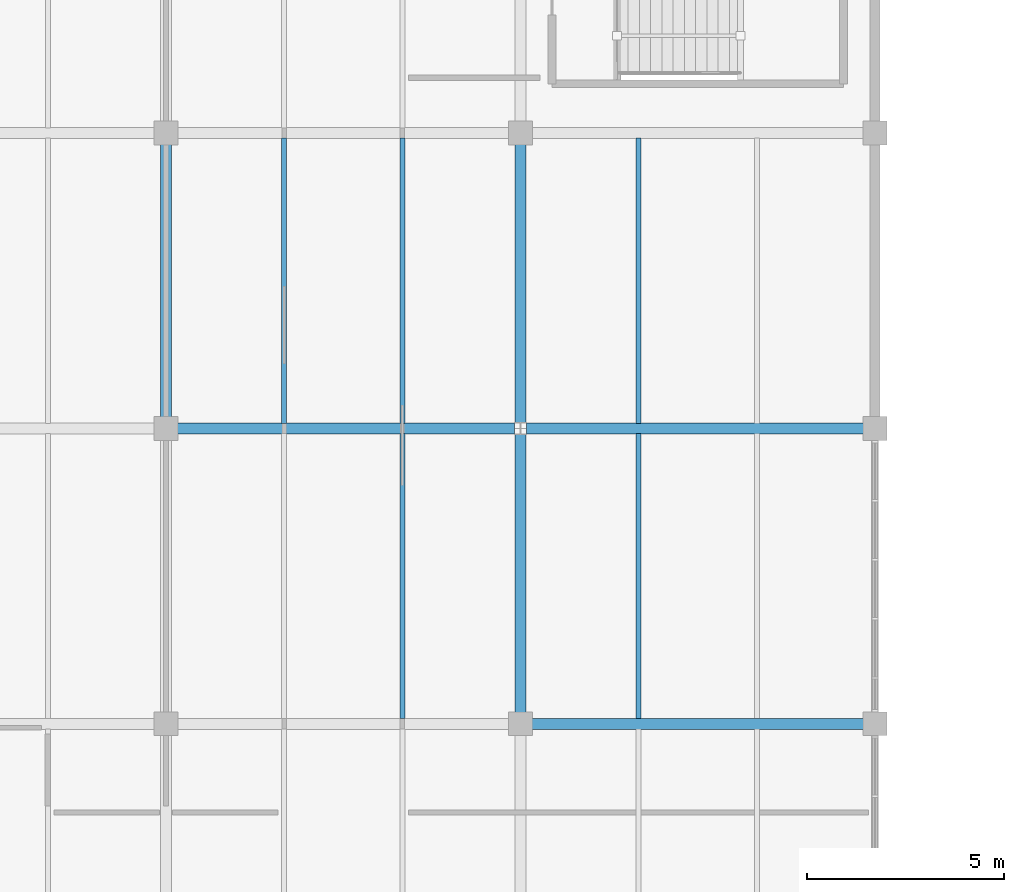
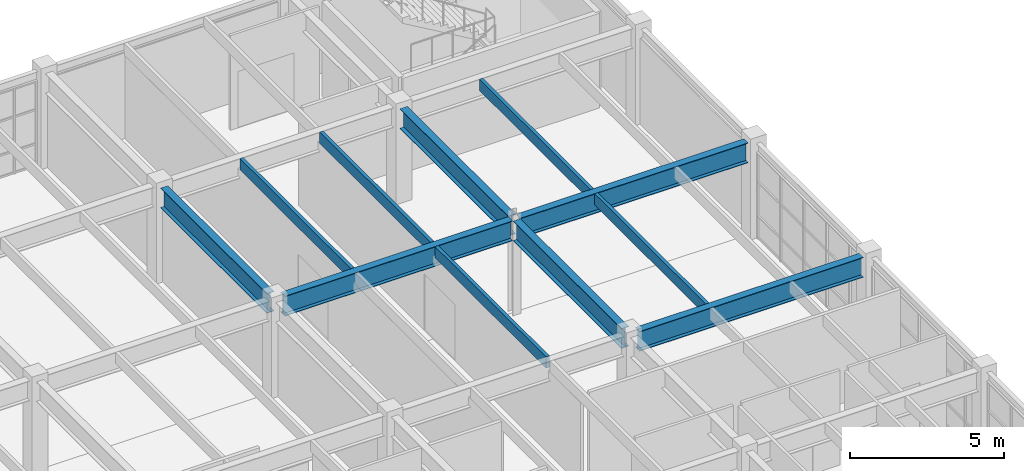
# One storey, part 33 of 76: 11 beams.
"""IFC4 building model written with IfcOpenShell, lengths in metres."""

from ifc_helpers import new_model, si_unit, direction, frame, origin, origin_2d, place, context, subcontext, project, spatial, rectangle, i_section, extrude, material, material_profile, profile_set, type_object, element, save


model = new_model("IFC4")

# Units and contexts
model_context = context("Model", 3, precision=1e-05, world=origin(), true_north=direction((0.0, 1.0)))
body_context = subcontext(model_context, "Body", "Model", "MODEL_VIEW")
ifc_project = project(units=[si_unit("LENGTHUNIT", "METRE"), si_unit("AREAUNIT", "SQUARE_METRE"), si_unit("VOLUMEUNIT", "CUBIC_METRE"), si_unit("PLANEANGLEUNIT", "RADIAN"), si_unit("MASSUNIT", "GRAM", prefix="KILO")], contexts=[model_context])

# Site, building, storey
site_placement = place(None, origin())
site = spatial("IfcSite", under=ifc_project, at=site_placement, CompositionType="ELEMENT")
building_placement = place(site_placement, origin())
building = spatial("IfcBuilding", under=site, at=building_placement, Name="Marnridge Secondary College", CompositionType="ELEMENT")
storey_placement = place(building_placement, frame((0.0, 0.0, 4.5)))
storey = spatial("IfcBuildingStorey", under=building, at=storey_placement, Name="L01", CompositionType="ELEMENT", Elevation=4.5)

# Beams
ifc_material_1 = material(Name="Engineered timber LVL E13.2", Category="wood")
ifc_material_profile_1 = material_profile(ifc_material_1, rectangle(XDim=0.1259765625, YDim=0.449951171875, at=origin_2d()), Name="LVL 126x450")
ifc_profile_set_1 = profile_set([ifc_material_profile_1], Name="Engineered timber LVL E13.2")
beam_type_1 = type_object("IfcBeamType", Name="BM-LVL450-INT", PredefinedType="JOIST", material=ifc_profile_set_1)
for number, where, z_axis, x_axis, name in (
    (1, (24.0, 97.631591796875, 3.534912109375), (0.0, 1.0, 0.0), (-1.0, 0.0, 0.0), "Beam BJ-L01-0638"),
    (2, (21.0, 105.131591796875, 3.534912109375), (0.0, 1.0, 0.0), (-1.0, 0.0, 0.0), "Beam BJ-L01-0639"),
    (3, (24.0, 105.131591796875, 3.534912109375), (0.0, 1.0, 0.0), (-1.0, 0.0, 0.0), "Beam BJ-L01-0640"),
    (4, (30.0, 97.631591796875, 3.534912109375), (0.0, 1.0, 0.0), (-1.0, 0.0, 0.0), "Beam BJ-L01-0647"),
    (5, (30.0, 105.131591796875, 3.534912109375), (0.0, 1.0, 0.0), (-1.0, 0.0, 0.0), "Beam BJ-L01-0649"),
):
    element("IfcBeam", number, at=place(storey_placement, frame(where, z_axis=z_axis, x_axis=x_axis)), inside=storey, type_object=beam_type_1, Name=name, PredefinedType="JOIST", context=body_context, shape_type="SweptSolid", body=[
        extrude(rectangle(XDim=0.1259765625, YDim=0.449951171875, at=origin_2d()), origin(), (0.0, 0.0, 1.0), 7.23681640625),
    ])
ifc_material_2 = material(Name="Structural steel Grade 350 (AS/NZS 3679.1/.2, fy = 340-360 MPa)", Category="steel")
ifc_material_profile_2 = material_profile(ifc_material_2, i_section(OverallWidth=0.27490234375, OverallDepth=0.7919921875, WebThickness=0.010009765625, FlangeThickness=0.02001953125, at=origin_2d()), Name="800WB146")
ifc_profile_set_2 = profile_set([ifc_material_profile_2], Name="Structural steel Grade 350 (AS/NZS 3679.1/.2, fy = 340-360 MPa)")
beam_type_2 = type_object("IfcBeamType", Name="BM-WB800-INT", PredefinedType="BEAM", material=ifc_profile_set_2)
beam_1_placement = place(storey_placement, frame((18.0, 105.2939453125, 3.364013671875), z_axis=(0.0, 1.0, 0.0), x_axis=(-1.0, 0.0, 0.0)))
element("IfcBeam", 6, at=beam_1_placement, inside=storey, type_object=beam_type_2, Name="Beam B-L01-0586", PredefinedType="BEAM", context=body_context, shape_type="SweptSolid", body=[
    extrude(i_section(OverallWidth=0.27490234375, OverallDepth=0.7919921875, WebThickness=0.010009765625, FlangeThickness=0.02001953125, at=origin_2d()), origin(), (0.0, 0.0, 1.0), 6.912109375),
])
beam_2_placement = place(storey_placement, frame((18.2939453125, 105.0, 3.364013671875), z_axis=(1.0, 0.0, 0.0), x_axis=(0.0, 1.0, 0.0)))
element("IfcBeam", 7, at=beam_2_placement, inside=storey, type_object=beam_type_2, Name="Beam B-L01-0594", PredefinedType="BEAM", context=body_context, shape_type="SweptSolid", body=[
    extrude(i_section(OverallWidth=0.27490234375, OverallDepth=0.7919921875, WebThickness=0.010009765625, FlangeThickness=0.02001953125, at=origin_2d()), origin(), (0.0, 0.0, 1.0), 8.557373046875),
])
for number, where, z_axis, x_axis, name in (
    (8, (27.0, 97.7939453125, 3.364013671875), (0.0, 1.0, 0.0), (-1.0, 0.0, 0.0), "Beam B-L01-0595"),
    (9, (27.0, 105.154296875, 3.364013671875), (0.0, 1.0, 0.0), (-1.0, 0.0, 0.0), "Beam B-L01-0597"),
):
    element("IfcBeam", number, at=place(storey_placement, frame(where, z_axis=z_axis, x_axis=x_axis)), inside=storey, type_object=beam_type_2, Name=name, PredefinedType="BEAM", context=body_context, shape_type="SweptSolid", body=[
        extrude(i_section(OverallWidth=0.27490234375, OverallDepth=0.7919921875, WebThickness=0.010009765625, FlangeThickness=0.02001953125, at=origin_2d()), origin(), (0.0, 0.0, 1.0), 7.0517578125),
    ])
beam_3_placement = place(storey_placement, frame((27.2939453125, 97.5, 3.364013671875), z_axis=(1.0, 0.0, 0.0), x_axis=(0.0, 1.0, 0.0)))
element("IfcBeam", 10, at=beam_3_placement, inside=storey, type_object=beam_type_2, Name="Beam B-L01-0603", PredefinedType="BEAM", context=body_context, shape_type="SweptSolid", body=[
    extrude(i_section(OverallWidth=0.27490234375, OverallDepth=0.7919921875, WebThickness=0.010009765625, FlangeThickness=0.02001953125, at=origin_2d()), origin(), (0.0, 0.0, 1.0), 8.412109375),
])
beam_4_placement = place(storey_placement, frame((27.148681640625, 105.0, 3.364013671875), z_axis=(1.0, 0.0, 0.0), x_axis=(0.0, 1.0, 0.0)))
element("IfcBeam", 11, at=beam_4_placement, inside=storey, type_object=beam_type_2, Name="Beam B-L01-0605", PredefinedType="BEAM", context=body_context, shape_type="SweptSolid", body=[
    extrude(i_section(OverallWidth=0.27490234375, OverallDepth=0.7919921875, WebThickness=0.010009765625, FlangeThickness=0.02001953125, at=origin_2d()), origin(), (0.0, 0.0, 1.0), 8.557373046875),
])

save(model, "model.ifc")
